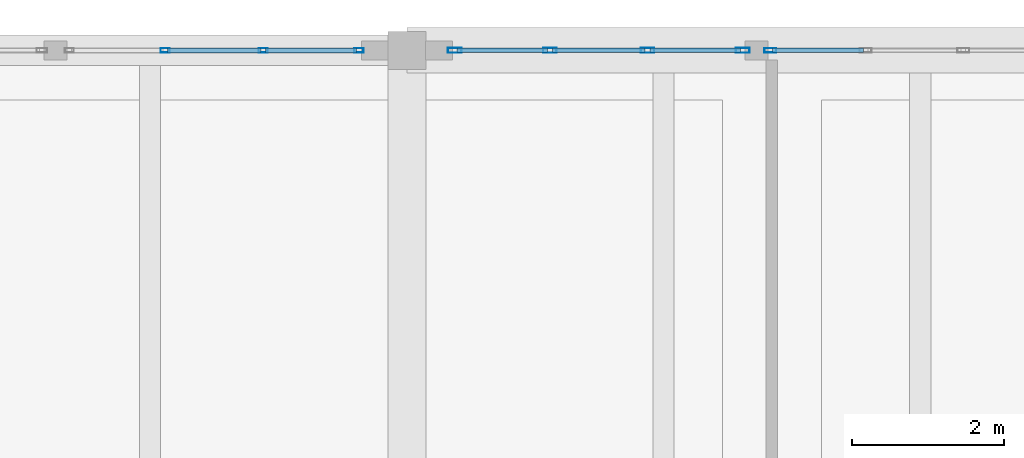
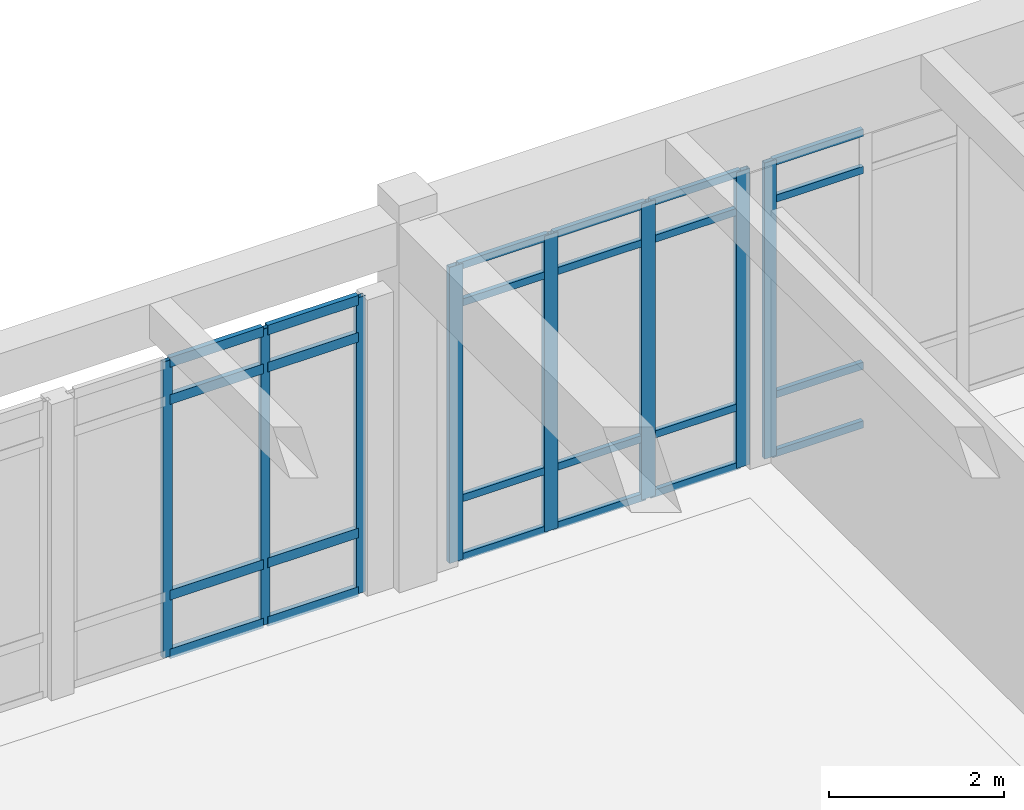
# One storey, part 61 of 138: 32 members, 3 elements without a shape of their own.
"""IFC4 building model written with IfcOpenShell, lengths in metres."""

from ifc_helpers import new_model, si_unit, direction, frame, origin, origin_2d, place, context, subcontext, project, spatial, hollow_rectangle, extrude, material, layer, layer_set, material_profile, profile_set, type_object, element, aggregate, save


model = new_model("IFC4")

# Units and contexts
model_context = context("Model", 3, precision=1e-05, world=origin(), true_north=direction((0.0, 1.0)))
body_context = subcontext(model_context, "Body", "Model", "MODEL_VIEW")
ifc_project = project(units=[si_unit("LENGTHUNIT", "METRE"), si_unit("AREAUNIT", "SQUARE_METRE"), si_unit("VOLUMEUNIT", "CUBIC_METRE"), si_unit("PLANEANGLEUNIT", "RADIAN"), si_unit("MASSUNIT", "GRAM", prefix="KILO")], contexts=[model_context])

# Site, building, storey
site_placement = place(None, origin())
site = spatial("IfcSite", under=ifc_project, at=site_placement, CompositionType="ELEMENT")
building_placement = place(site_placement, origin())
building = spatial("IfcBuilding", under=site, at=building_placement, Name="Fikremerkos Civic Library", CompositionType="ELEMENT")
storey_placement = place(building_placement, origin())
storey = spatial("IfcBuildingStorey", under=building, at=storey_placement, Name="L00", CompositionType="ELEMENT", Elevation=0.0)

# Curtain wall, members
ifc_material = material(Name="Anodized aluminium Frame", Category="aluminium")
ifc_layer_1 = layer(ifc_material, 0.159912109375, Name="Anodized aluminium Frame")
ifc_layer_set_1 = layer_set([ifc_layer_1], Name="Anodized aluminium Frame")
curtain_wall_type_1 = type_object("IfcCurtainWallType", Name="Unitised curtain wall CW-13 3700x3200", PredefinedType="USERDEFINED", material=ifc_layer_set_1)
curtain_wall_1_placement = place(storey_placement, origin())
curtain_wall_1 = element("IfcCurtainWall", 1, at=curtain_wall_1_placement, inside=storey, type_object=curtain_wall_type_1, Name="Unitised curtain wall CW-13 L00 #49", ObjectType="UNITISED CURTAIN WALL", PredefinedType="USERDEFINED")
ifc_material_profile_1 = material_profile(ifc_material, hollow_rectangle(XDim=0.06494140625, YDim=0.179931640625, WallThickness=0.00439453125, at=origin_2d()), Name="ALU 180x65x4.5")
ifc_profile_set_1 = profile_set([ifc_material_profile_1], Name="Anodized aluminium Frame")
member_type_1 = type_object("IfcMemberType", Name="Curtain mullion CWM-01 ALU 180x65x4.5", PredefinedType="MULLION", material=ifc_profile_set_1)
member_1_placement = place(storey_placement, frame((100.83056640625, 117.60009765625, 0.0), z_axis=(0.0, 0.0, 1.0), x_axis=(0.0, 1.0, 0.0)))
member_1 = element("IfcMember", 2, at=member_1_placement, type_object=member_type_1, Name="CW-13 mullion 1", PredefinedType="MULLION", context=body_context, shape_type="SweptSolid", body=[
    extrude(hollow_rectangle(XDim=0.06494140625, YDim=0.179931640625, WallThickness=0.00439453125, at=origin_2d()), origin(), (0.0, 0.0, 1.0), 4.1298828125),
])
member_2_placement = place(storey_placement, frame((102.081787109375, 117.60009765625, 0.0), z_axis=(0.0, 0.0, 1.0), x_axis=(0.0, 1.0, 0.0)))
member_2 = element("IfcMember", 3, at=member_2_placement, type_object=member_type_1, Name="CW-13 mullion 2", PredefinedType="MULLION", context=body_context, shape_type="SweptSolid", body=[
    extrude(hollow_rectangle(XDim=0.06494140625, YDim=0.179931640625, WallThickness=0.00439453125, at=origin_2d()), origin(), (0.0, 0.0, 1.0), 4.1298828125),
])
member_3_placement = place(storey_placement, frame((103.365478515625, 117.60009765625, 0.0), z_axis=(0.0, 0.0, 1.0), x_axis=(0.0, 1.0, 0.0)))
member_3 = element("IfcMember", 4, at=member_3_placement, type_object=member_type_1, Name="CW-13 mullion 3", PredefinedType="MULLION", context=body_context, shape_type="SweptSolid", body=[
    extrude(hollow_rectangle(XDim=0.06494140625, YDim=0.179931640625, WallThickness=0.00439453125, at=origin_2d()), origin(), (0.0, 0.0, 1.0), 4.1298828125),
])
member_4_placement = place(storey_placement, frame((104.616943359375, 117.60009765625, 0.0), z_axis=(0.0, 0.0, 1.0), x_axis=(0.0, 1.0, 0.0)))
member_4 = element("IfcMember", 5, at=member_4_placement, type_object=member_type_1, Name="CW-13 mullion 4", PredefinedType="MULLION", context=body_context, shape_type="SweptSolid", body=[
    extrude(hollow_rectangle(XDim=0.06494140625, YDim=0.179931640625, WallThickness=0.00439453125, at=origin_2d()), origin(), (0.0, 0.0, 1.0), 4.1298828125),
])

# Curtain wall, member
ifc_layer_2 = layer(ifc_material, 0.159912109375, Name="Anodized aluminium Frame")
ifc_layer_set_2 = layer_set([ifc_layer_2], Name="Anodized aluminium Frame")
curtain_wall_type_2 = type_object("IfcCurtainWallType", Name="Unitised curtain wall CW-14 4100x3200", PredefinedType="USERDEFINED", material=ifc_layer_set_2)
curtain_wall_2_placement = place(storey_placement, origin())
curtain_wall_2 = element("IfcCurtainWall", 6, at=curtain_wall_2_placement, inside=storey, type_object=curtain_wall_type_2, Name="Unitised curtain wall CW-14 L00 #50", ObjectType="UNITISED CURTAIN WALL", PredefinedType="USERDEFINED")
ifc_material_profile_2 = material_profile(ifc_material, hollow_rectangle(XDim=0.06005859375, YDim=0.159912109375, WallThickness=0.00390625, at=origin_2d()), Name="ALU 160x60x4")
ifc_profile_set_2 = profile_set([ifc_material_profile_2], Name="Anodized aluminium Frame")
member_type_2 = type_object("IfcMemberType", Name="Curtain mullion CWM-02 ALU 160x60x4", PredefinedType="MULLION", material=ifc_profile_set_2)
member_5_placement = place(storey_placement, frame((104.979248046875, 117.60009765625, 0.0), z_axis=(0.0, 0.0, 1.0), x_axis=(0.0, 1.0, 0.0)))
member_5 = element("IfcMember", 7, at=member_5_placement, type_object=member_type_2, Name="CW-14 mullion 1", PredefinedType="MULLION", context=body_context, shape_type="SweptSolid", body=[
    extrude(hollow_rectangle(XDim=0.06005859375, YDim=0.159912109375, WallThickness=0.00390625, at=origin_2d()), origin(), (0.0, 0.0, 1.0), 4.1298828125),
])

# Curtain wall, members
ifc_layer_3 = layer(ifc_material, 0.159912109375, Name="Anodized aluminium Frame")
ifc_layer_set_3 = layer_set([ifc_layer_3], Name="Anodized aluminium Frame")
curtain_wall_type_3 = type_object("IfcCurtainWallType", Name="Unitised curtain wall CW-12 4300x3400", PredefinedType="USERDEFINED", material=ifc_layer_set_3)
curtain_wall_3_placement = place(storey_placement, origin())
curtain_wall_3 = element("IfcCurtainWall", 8, at=curtain_wall_3_placement, inside=storey, type_object=curtain_wall_type_3, Name="Unitised curtain wall CW-12 L00 #48", ObjectType="UNITISED CURTAIN WALL", PredefinedType="USERDEFINED")
ifc_material_profile_3 = material_profile(ifc_material, hollow_rectangle(XDim=0.06005859375, YDim=0.1201171875, WallThickness=0.00390625, at=origin_2d()), Name="ALU 120x60x4")
ifc_profile_set_3 = profile_set([ifc_material_profile_3], Name="Anodized aluminium Frame")
member_type_3 = type_object("IfcMemberType", Name="Curtain mullion CWM-04 ALU 120x60x4", PredefinedType="MULLION", material=ifc_profile_set_3)
member_6_placement = place(storey_placement, frame((97.0234375, 117.60009765625, 0.0), z_axis=(0.0, 0.0, 1.0), x_axis=(0.0, 1.0, 0.0)))
member_6 = element("IfcMember", 9, at=member_6_placement, type_object=member_type_3, Name="CW-12 mullion 2", PredefinedType="MULLION", context=body_context, shape_type="SweptSolid", body=[
    extrude(hollow_rectangle(XDim=0.06005859375, YDim=0.1201171875, WallThickness=0.00390625, at=origin_2d()), origin(), (0.0, 0.0, 1.0), 4.1298828125),
])
member_7_placement = place(storey_placement, frame((98.312744140625, 117.60009765625, 0.0), z_axis=(0.0, 0.0, 1.0), x_axis=(0.0, 1.0, 0.0)))
member_7 = element("IfcMember", 10, at=member_7_placement, type_object=member_type_3, Name="CW-12 mullion 3", PredefinedType="MULLION", context=body_context, shape_type="SweptSolid", body=[
    extrude(hollow_rectangle(XDim=0.06005859375, YDim=0.1201171875, WallThickness=0.00390625, at=origin_2d()), origin(), (0.0, 0.0, 1.0), 4.1298828125),
])
member_8_placement = place(storey_placement, frame((99.572021484375, 117.60009765625, 0.0), z_axis=(0.0, 0.0, 1.0), x_axis=(0.0, 1.0, 0.0)))
member_8 = element("IfcMember", 11, at=member_8_placement, type_object=member_type_3, Name="CW-12 mullion 4", PredefinedType="MULLION", context=body_context, shape_type="SweptSolid", body=[
    extrude(hollow_rectangle(XDim=0.06005859375, YDim=0.1201171875, WallThickness=0.00390625, at=origin_2d()), origin(), (0.0, 0.0, 1.0), 4.1298828125),
])
ifc_material_profile_4 = material_profile(ifc_material, hollow_rectangle(XDim=0.06494140625, YDim=0.135009765625, WallThickness=0.00439453125, at=origin_2d()), Name="ALU 135x65x4.5")
ifc_profile_set_4 = profile_set([ifc_material_profile_4], Name="Anodized aluminium Frame")
member_type_4 = type_object("IfcMemberType", Name="Curtain transom CWT-02 ALU 135x65x4.5", PredefinedType="USERDEFINED", material=ifc_profile_set_4)
member_9_placement = place(storey_placement, frame((97.05322265625, 117.60009765625, 0.032470703125), z_axis=(1.0, 0.0, 0.0), x_axis=(0.0, 1.0, 0.0)))
member_9 = element("IfcMember", 12, at=member_9_placement, type_object=member_type_4, Name="CW-12 transom 2.1", ObjectType="TRANSOM", PredefinedType="USERDEFINED", context=body_context, shape_type="SweptSolid", body=[
    extrude(hollow_rectangle(XDim=0.06494140625, YDim=0.135009765625, WallThickness=0.00439453125, at=origin_2d()), origin(), (0.0, 0.0, 1.0), 1.2294921875),
])
member_10_placement = place(storey_placement, frame((97.05322265625, 117.60009765625, 0.85009765625), z_axis=(1.0, 0.0, 0.0), x_axis=(0.0, 1.0, 0.0)))
member_10 = element("IfcMember", 13, at=member_10_placement, type_object=member_type_4, Name="CW-12 transom 2.2", ObjectType="TRANSOM", PredefinedType="USERDEFINED", context=body_context, shape_type="SweptSolid", body=[
    extrude(hollow_rectangle(XDim=0.06494140625, YDim=0.135009765625, WallThickness=0.00439453125, at=origin_2d()), origin(), (0.0, 0.0, 1.0), 1.2294921875),
])
member_11_placement = place(storey_placement, frame((97.05322265625, 117.60009765625, 3.580078125), z_axis=(1.0, 0.0, 0.0), x_axis=(0.0, 1.0, 0.0)))
member_11 = element("IfcMember", 14, at=member_11_placement, type_object=member_type_4, Name="CW-12 transom 2.3", ObjectType="TRANSOM", PredefinedType="USERDEFINED", context=body_context, shape_type="SweptSolid", body=[
    extrude(hollow_rectangle(XDim=0.06494140625, YDim=0.135009765625, WallThickness=0.00439453125, at=origin_2d()), origin(), (0.0, 0.0, 1.0), 1.2294921875),
])
member_12_placement = place(storey_placement, frame((97.05322265625, 117.60009765625, 4.097412109375), z_axis=(1.0, 0.0, 0.0), x_axis=(0.0, 1.0, 0.0)))
member_12 = element("IfcMember", 15, at=member_12_placement, type_object=member_type_4, Name="CW-12 transom 2.4", ObjectType="TRANSOM", PredefinedType="USERDEFINED", context=body_context, shape_type="SweptSolid", body=[
    extrude(hollow_rectangle(XDim=0.06494140625, YDim=0.135009765625, WallThickness=0.00439453125, at=origin_2d()), origin(), (0.0, 0.0, 1.0), 1.2294921875),
])
member_13_placement = place(storey_placement, frame((98.3427734375, 117.60009765625, 0.032470703125), z_axis=(1.0, 0.0, 0.0), x_axis=(0.0, 1.0, 0.0)))
member_13 = element("IfcMember", 16, at=member_13_placement, type_object=member_type_4, Name="CW-12 transom 3.1", ObjectType="TRANSOM", PredefinedType="USERDEFINED", context=body_context, shape_type="SweptSolid", body=[
    extrude(hollow_rectangle(XDim=0.06494140625, YDim=0.135009765625, WallThickness=0.00439453125, at=origin_2d()), origin(), (0.0, 0.0, 1.0), 1.19921875),
])
member_14_placement = place(storey_placement, frame((98.3427734375, 117.60009765625, 0.85009765625), z_axis=(1.0, 0.0, 0.0), x_axis=(0.0, 1.0, 0.0)))
member_14 = element("IfcMember", 17, at=member_14_placement, type_object=member_type_4, Name="CW-12 transom 3.2", ObjectType="TRANSOM", PredefinedType="USERDEFINED", context=body_context, shape_type="SweptSolid", body=[
    extrude(hollow_rectangle(XDim=0.06494140625, YDim=0.135009765625, WallThickness=0.00439453125, at=origin_2d()), origin(), (0.0, 0.0, 1.0), 1.19921875),
])
member_15_placement = place(storey_placement, frame((98.3427734375, 117.60009765625, 3.580078125), z_axis=(1.0, 0.0, 0.0), x_axis=(0.0, 1.0, 0.0)))
member_15 = element("IfcMember", 18, at=member_15_placement, type_object=member_type_4, Name="CW-12 transom 3.3", ObjectType="TRANSOM", PredefinedType="USERDEFINED", context=body_context, shape_type="SweptSolid", body=[
    extrude(hollow_rectangle(XDim=0.06494140625, YDim=0.135009765625, WallThickness=0.00439453125, at=origin_2d()), origin(), (0.0, 0.0, 1.0), 1.19921875),
])
member_16_placement = place(storey_placement, frame((98.3427734375, 117.60009765625, 4.097412109375), z_axis=(1.0, 0.0, 0.0), x_axis=(0.0, 1.0, 0.0)))
member_16 = element("IfcMember", 19, at=member_16_placement, type_object=member_type_4, Name="CW-12 transom 3.4", ObjectType="TRANSOM", PredefinedType="USERDEFINED", context=body_context, shape_type="SweptSolid", body=[
    extrude(hollow_rectangle(XDim=0.06494140625, YDim=0.135009765625, WallThickness=0.00439453125, at=origin_2d()), origin(), (0.0, 0.0, 1.0), 1.19921875),
])
aggregate(curtain_wall_3, [member_6, member_7, member_8, member_9, member_10, member_11, member_12, member_13, member_14, member_15, member_16])

# Member
ifc_material_profile_5 = material_profile(ifc_material, hollow_rectangle(XDim=0.06005859375, YDim=0.10009765625, WallThickness=0.00390625, at=origin_2d()), Name="ALU 100x60x4")
ifc_profile_set_5 = profile_set([ifc_material_profile_5], Name="Anodized aluminium Frame")
member_type_5 = type_object("IfcMemberType", Name="Curtain transom CWT-03 ALU 100x60x4", PredefinedType="USERDEFINED", material=ifc_profile_set_5)
member_17_placement = place(storey_placement, frame((100.863037109375, 117.60009765625, 0.030029296875), z_axis=(1.0, 0.0, 0.0), x_axis=(0.0, 1.0, 0.0)))
member_17 = element("IfcMember", 20, at=member_17_placement, type_object=member_type_5, Name="CW-13 transom 1.1", ObjectType="TRANSOM", PredefinedType="USERDEFINED", context=body_context, shape_type="SweptSolid", body=[
    extrude(hollow_rectangle(XDim=0.06005859375, YDim=0.10009765625, WallThickness=0.00390625, at=origin_2d()), origin(), (0.0, 0.0, 1.0), 1.186279296875),
])

member_18_placement = place(storey_placement, frame((100.863037109375, 117.60009765625, 0.85009765625), z_axis=(1.0, 0.0, 0.0), x_axis=(0.0, 1.0, 0.0)))
member_18 = element("IfcMember", 21, at=member_18_placement, type_object=member_type_5, Name="CW-13 transom 1.2", ObjectType="TRANSOM", PredefinedType="USERDEFINED", context=body_context, shape_type="SweptSolid", body=[
    extrude(hollow_rectangle(XDim=0.06005859375, YDim=0.10009765625, WallThickness=0.00390625, at=origin_2d()), origin(), (0.0, 0.0, 1.0), 1.186279296875),
])

member_19_placement = place(storey_placement, frame((100.863037109375, 117.60009765625, 3.580078125), z_axis=(1.0, 0.0, 0.0), x_axis=(0.0, 1.0, 0.0)))
member_19 = element("IfcMember", 22, at=member_19_placement, type_object=member_type_5, Name="CW-13 transom 1.3", ObjectType="TRANSOM", PredefinedType="USERDEFINED", context=body_context, shape_type="SweptSolid", body=[
    extrude(hollow_rectangle(XDim=0.06005859375, YDim=0.10009765625, WallThickness=0.00390625, at=origin_2d()), origin(), (0.0, 0.0, 1.0), 1.186279296875),
])

member_20_placement = place(storey_placement, frame((100.863037109375, 117.60009765625, 4.10009765625), z_axis=(1.0, 0.0, 0.0), x_axis=(0.0, 1.0, 0.0)))
member_20 = element("IfcMember", 23, at=member_20_placement, type_object=member_type_5, Name="CW-13 transom 1.4", ObjectType="TRANSOM", PredefinedType="USERDEFINED", context=body_context, shape_type="SweptSolid", body=[
    extrude(hollow_rectangle(XDim=0.06005859375, YDim=0.10009765625, WallThickness=0.00390625, at=origin_2d()), origin(), (0.0, 0.0, 1.0), 1.186279296875),
])

member_21_placement = place(storey_placement, frame((102.1142578125, 117.60009765625, 0.030029296875), z_axis=(1.0, 0.0, 0.0), x_axis=(0.0, 1.0, 0.0)))
member_21 = element("IfcMember", 24, at=member_21_placement, type_object=member_type_5, Name="CW-13 transom 2.1", ObjectType="TRANSOM", PredefinedType="USERDEFINED", context=body_context, shape_type="SweptSolid", body=[
    extrude(hollow_rectangle(XDim=0.06005859375, YDim=0.10009765625, WallThickness=0.00390625, at=origin_2d()), origin(), (0.0, 0.0, 1.0), 1.21875),
])

member_22_placement = place(storey_placement, frame((102.1142578125, 117.60009765625, 0.85009765625), z_axis=(1.0, 0.0, 0.0), x_axis=(0.0, 1.0, 0.0)))
member_22 = element("IfcMember", 25, at=member_22_placement, type_object=member_type_5, Name="CW-13 transom 2.2", ObjectType="TRANSOM", PredefinedType="USERDEFINED", context=body_context, shape_type="SweptSolid", body=[
    extrude(hollow_rectangle(XDim=0.06005859375, YDim=0.10009765625, WallThickness=0.00390625, at=origin_2d()), origin(), (0.0, 0.0, 1.0), 1.21875),
])

member_23_placement = place(storey_placement, frame((102.1142578125, 117.60009765625, 3.580078125), z_axis=(1.0, 0.0, 0.0), x_axis=(0.0, 1.0, 0.0)))
member_23 = element("IfcMember", 26, at=member_23_placement, type_object=member_type_5, Name="CW-13 transom 2.3", ObjectType="TRANSOM", PredefinedType="USERDEFINED", context=body_context, shape_type="SweptSolid", body=[
    extrude(hollow_rectangle(XDim=0.06005859375, YDim=0.10009765625, WallThickness=0.00390625, at=origin_2d()), origin(), (0.0, 0.0, 1.0), 1.21875),
])

member_24_placement = place(storey_placement, frame((102.1142578125, 117.60009765625, 4.10009765625), z_axis=(1.0, 0.0, 0.0), x_axis=(0.0, 1.0, 0.0)))
member_24 = element("IfcMember", 27, at=member_24_placement, type_object=member_type_5, Name="CW-13 transom 2.4", ObjectType="TRANSOM", PredefinedType="USERDEFINED", context=body_context, shape_type="SweptSolid", body=[
    extrude(hollow_rectangle(XDim=0.06005859375, YDim=0.10009765625, WallThickness=0.00390625, at=origin_2d()), origin(), (0.0, 0.0, 1.0), 1.21875),
])

member_25_placement = place(storey_placement, frame((103.39794921875, 117.60009765625, 0.030029296875), z_axis=(1.0, 0.0, 0.0), x_axis=(0.0, 1.0, 0.0)))
member_25 = element("IfcMember", 28, at=member_25_placement, type_object=member_type_5, Name="CW-13 transom 3.1", ObjectType="TRANSOM", PredefinedType="USERDEFINED", context=body_context, shape_type="SweptSolid", body=[
    extrude(hollow_rectangle(XDim=0.06005859375, YDim=0.10009765625, WallThickness=0.00390625, at=origin_2d()), origin(), (0.0, 0.0, 1.0), 1.186279296875),
])

member_26_placement = place(storey_placement, frame((103.39794921875, 117.60009765625, 0.85009765625), z_axis=(1.0, 0.0, 0.0), x_axis=(0.0, 1.0, 0.0)))
member_26 = element("IfcMember", 29, at=member_26_placement, type_object=member_type_5, Name="CW-13 transom 3.2", ObjectType="TRANSOM", PredefinedType="USERDEFINED", context=body_context, shape_type="SweptSolid", body=[
    extrude(hollow_rectangle(XDim=0.06005859375, YDim=0.10009765625, WallThickness=0.00390625, at=origin_2d()), origin(), (0.0, 0.0, 1.0), 1.186279296875),
])

member_27_placement = place(storey_placement, frame((103.39794921875, 117.60009765625, 3.580078125), z_axis=(1.0, 0.0, 0.0), x_axis=(0.0, 1.0, 0.0)))
member_27 = element("IfcMember", 30, at=member_27_placement, type_object=member_type_5, Name="CW-13 transom 3.3", ObjectType="TRANSOM", PredefinedType="USERDEFINED", context=body_context, shape_type="SweptSolid", body=[
    extrude(hollow_rectangle(XDim=0.06005859375, YDim=0.10009765625, WallThickness=0.00390625, at=origin_2d()), origin(), (0.0, 0.0, 1.0), 1.186279296875),
])

member_28_placement = place(storey_placement, frame((103.39794921875, 117.60009765625, 4.10009765625), z_axis=(1.0, 0.0, 0.0), x_axis=(0.0, 1.0, 0.0)))
member_28 = element("IfcMember", 31, at=member_28_placement, type_object=member_type_5, Name="CW-13 transom 3.4", ObjectType="TRANSOM", PredefinedType="USERDEFINED", context=body_context, shape_type="SweptSolid", body=[
    extrude(hollow_rectangle(XDim=0.06005859375, YDim=0.10009765625, WallThickness=0.00390625, at=origin_2d()), origin(), (0.0, 0.0, 1.0), 1.186279296875),
])

aggregate(curtain_wall_1, [member_1, member_2, member_3, member_4, member_17, member_18, member_19, member_20, member_21, member_22, member_23, member_24, member_25, member_26, member_27, member_28])

member_29_placement = place(storey_placement, frame((105.00927734375, 117.60009765625, 0.030029296875), z_axis=(1.0, 0.0, 0.0), x_axis=(0.0, 1.0, 0.0)))
member_29 = element("IfcMember", 32, at=member_29_placement, type_object=member_type_5, Name="CW-14 transom 1.1", ObjectType="TRANSOM", PredefinedType="USERDEFINED", context=body_context, shape_type="SweptSolid", body=[
    extrude(hollow_rectangle(XDim=0.06005859375, YDim=0.10009765625, WallThickness=0.00390625, at=origin_2d()), origin(), (0.0, 0.0, 1.0), 1.19384765625),
])

member_30_placement = place(storey_placement, frame((105.00927734375, 117.60009765625, 0.85009765625), z_axis=(1.0, 0.0, 0.0), x_axis=(0.0, 1.0, 0.0)))
member_30 = element("IfcMember", 33, at=member_30_placement, type_object=member_type_5, Name="CW-14 transom 1.2", ObjectType="TRANSOM", PredefinedType="USERDEFINED", context=body_context, shape_type="SweptSolid", body=[
    extrude(hollow_rectangle(XDim=0.06005859375, YDim=0.10009765625, WallThickness=0.00390625, at=origin_2d()), origin(), (0.0, 0.0, 1.0), 1.19384765625),
])

member_31_placement = place(storey_placement, frame((105.00927734375, 117.60009765625, 3.580078125), z_axis=(1.0, 0.0, 0.0), x_axis=(0.0, 1.0, 0.0)))
member_31 = element("IfcMember", 34, at=member_31_placement, type_object=member_type_5, Name="CW-14 transom 1.3", ObjectType="TRANSOM", PredefinedType="USERDEFINED", context=body_context, shape_type="SweptSolid", body=[
    extrude(hollow_rectangle(XDim=0.06005859375, YDim=0.10009765625, WallThickness=0.00390625, at=origin_2d()), origin(), (0.0, 0.0, 1.0), 1.19384765625),
])

member_32_placement = place(storey_placement, frame((105.00927734375, 117.60009765625, 4.10009765625), z_axis=(1.0, 0.0, 0.0), x_axis=(0.0, 1.0, 0.0)))
member_32 = element("IfcMember", 35, at=member_32_placement, type_object=member_type_5, Name="CW-14 transom 1.4", ObjectType="TRANSOM", PredefinedType="USERDEFINED", context=body_context, shape_type="SweptSolid", body=[
    extrude(hollow_rectangle(XDim=0.06005859375, YDim=0.10009765625, WallThickness=0.00390625, at=origin_2d()), origin(), (0.0, 0.0, 1.0), 1.19384765625),
])

aggregate(curtain_wall_2, [member_5, member_29, member_30, member_31, member_32])

save(model, "model.ifc")
